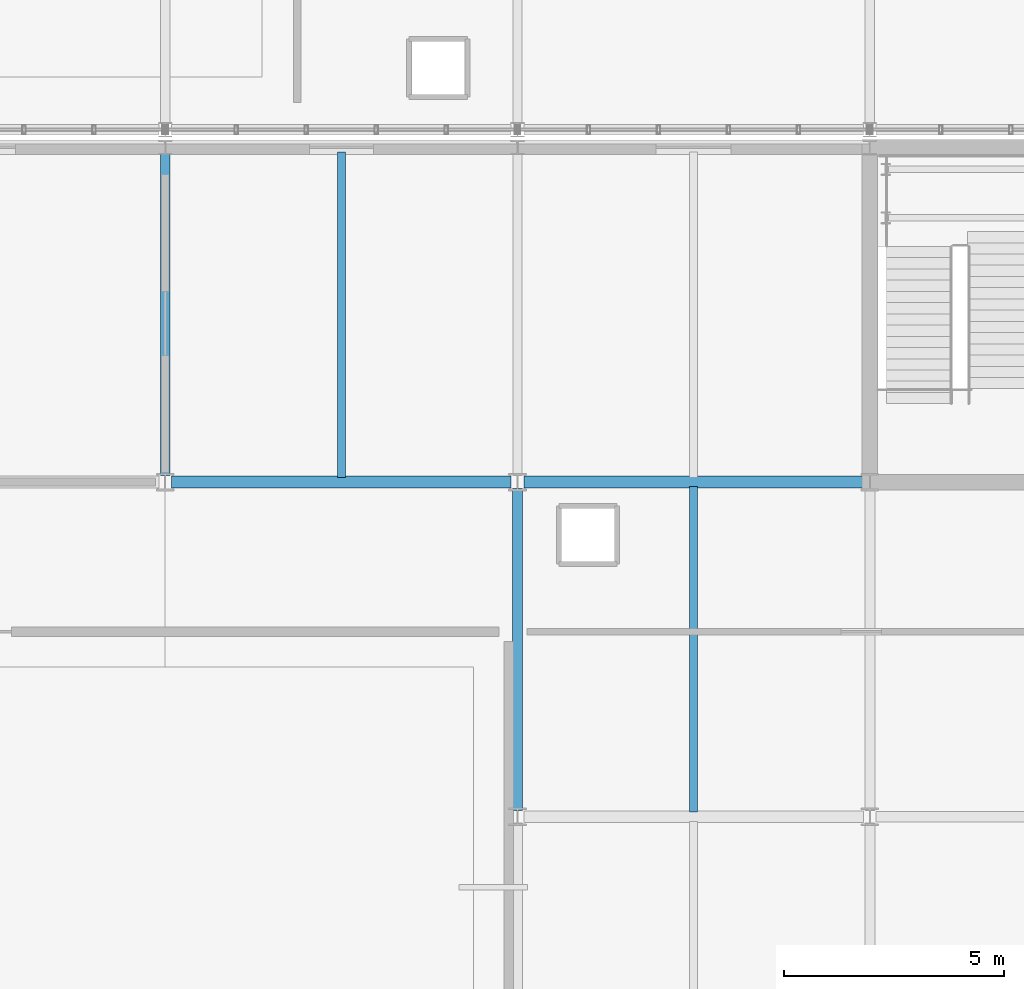
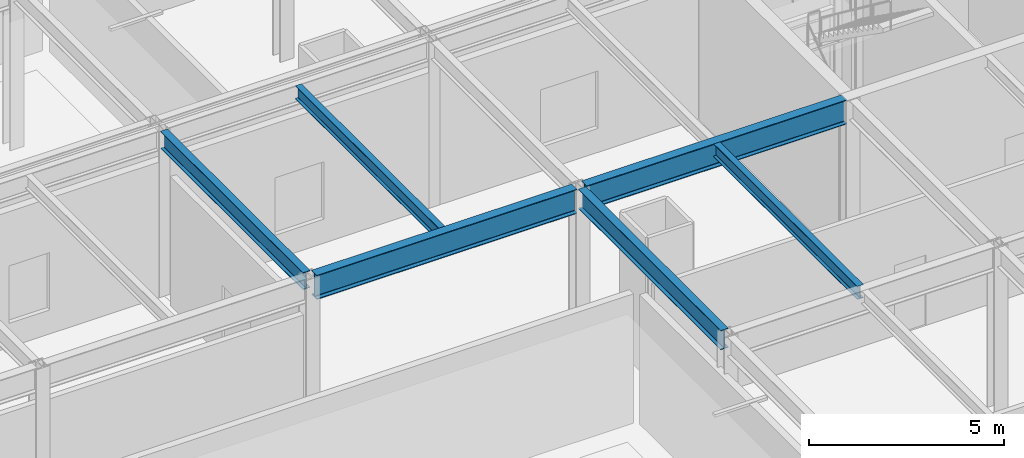
# One storey, part 56 of 94: 6 beams.
"""IFC4 building model written with IfcOpenShell, lengths in metres."""

from ifc_helpers import new_model, si_unit, direction, frame, origin, origin_2d, place, context, subcontext, project, spatial, i_section, extrude, material, material_profile, profile_set, type_object, element, save


model = new_model("IFC4")

# Units and contexts
model_context = context("Model", 3, precision=1e-05, world=origin(), true_north=direction((0.0, 1.0)))
body_context = subcontext(model_context, "Body", "Model", "MODEL_VIEW")
ifc_project = project(units=[si_unit("LENGTHUNIT", "METRE"), si_unit("AREAUNIT", "SQUARE_METRE"), si_unit("VOLUMEUNIT", "CUBIC_METRE"), si_unit("PLANEANGLEUNIT", "RADIAN"), si_unit("MASSUNIT", "GRAM", prefix="KILO")], contexts=[model_context])

# Site, building, storey
site_placement = place(None, origin())
site = spatial("IfcSite", under=ifc_project, at=site_placement, CompositionType="ELEMENT")
building_placement = place(site_placement, origin())
building = spatial("IfcBuilding", under=site, at=building_placement, Name="Zulena Civic Courthouse", CompositionType="ELEMENT")
storey_placement = place(building_placement, frame((0.0, 0.0, 5.39990234375)))
storey = spatial("IfcBuildingStorey", under=building, at=storey_placement, Name="L01", CompositionType="ELEMENT", Elevation=5.39990234375)

# Beams
ifc_material = material(Name="Steel ASTM A992 Grade 50", Category="steel")
ifc_material_profile_1 = material_profile(ifc_material, i_section(OverallWidth=0.22802734375, OverallDepth=0.60693359375, WebThickness=0.01123046875, FlangeThickness=0.017333984375, FilletRadius=0.0126953125, at=origin_2d()), Name="W24X76")
ifc_profile_set_1 = profile_set([ifc_material_profile_1], Name="Steel ASTM A992 Grade 50")
beam_type_1 = type_object("IfcBeamType", Name="Girder_W24X76", PredefinedType="BEAM", material=ifc_profile_set_1)
beam_1_placement = place(storey_placement, frame((156.0, 15.344970703125, 4.881591796875), z_axis=(0.0, 1.0, 0.0), x_axis=(-1.0, 0.0, 0.0)))
element("IfcBeam", 1, at=beam_1_placement, inside=storey, type_object=beam_type_1, Name="beam:Y:V1:L01:156.0:15.2_22.8", PredefinedType="BEAM", context=body_context, shape_type="SweptSolid", body=[
    extrude(i_section(OverallWidth=0.22802734375, OverallDepth=0.60693359375, WebThickness=0.01123046875, FlangeThickness=0.017333984375, FilletRadius=0.0126953125, at=origin_2d()), origin(), (0.0, 0.0, 1.0), 7.31005859375),
])
ifc_material_profile_2 = material_profile(ifc_material, i_section(OverallWidth=0.26708984375, OverallDepth=0.761962890625, WebThickness=0.014404296875, FlangeThickness=0.021484375, FilletRadius=0.0166015625, at=origin_2d()), Name="W30X116")
ifc_profile_set_2 = profile_set([ifc_material_profile_2], Name="Steel ASTM A992 Grade 50")
beam_type_2 = type_object("IfcBeamType", Name="Girder_W30X116", PredefinedType="BEAM", material=ifc_profile_set_2)
for number, where, z_axis, x_axis, name in (
    (2, (148.14501953125, 22.800048828125, 4.80419921875), (1.0, 0.0, 0.0), (0.0, 1.0, 0.0), "beam:X:V1:L01:22.8:148.0_156.0"),
    (3, (156.14501953125, 22.800048828125, 4.80419921875), (1.0, 0.0, 0.0), (0.0, 1.0, 0.0), "beam:X:V1:L01:22.8:156.0_164.0"),
):
    element("IfcBeam", number, at=place(storey_placement, frame(where, z_axis=z_axis, x_axis=x_axis)), inside=storey, type_object=beam_type_2, Name=name, PredefinedType="BEAM", context=body_context, shape_type="SweptSolid", body=[
        extrude(i_section(OverallWidth=0.26708984375, OverallDepth=0.761962890625, WebThickness=0.014404296875, FlangeThickness=0.021484375, FilletRadius=0.0166015625, at=origin_2d()), origin(), (0.0, 0.0, 1.0), 7.7099609375),
    ])
ifc_material_profile_3 = material_profile(ifc_material, i_section(OverallWidth=0.180908203125, OverallDepth=0.4169921875, WebThickness=0.010986328125, FlangeThickness=0.018310546875, FilletRadius=0.01025390625, at=origin_2d()), Name="W16X57")
ifc_profile_set_3 = profile_set([ifc_material_profile_3], Name="Steel ASTM A992 Grade 50")
beam_type_3 = type_object("IfcBeamType", Name="Joist_W16X57", PredefinedType="JOIST", material=ifc_profile_set_3)
beam_2_placement = place(storey_placement, frame((152.0, 22.905029296875, 4.9765625), z_axis=(0.0, 1.0, 0.0), x_axis=(-1.0, 0.0, 0.0)))
element("IfcBeam", 4, at=beam_2_placement, inside=storey, type_object=beam_type_3, Name="joist:V1:L01:152.00:22.8_30.4", PredefinedType="JOIST", context=body_context, shape_type="SweptSolid", body=[
    extrude(i_section(OverallWidth=0.180908203125, OverallDepth=0.4169921875, WebThickness=0.010986328125, FlangeThickness=0.018310546875, FilletRadius=0.01025390625, at=origin_2d()), origin(), (0.0, 0.0, 1.0), 7.389892578125),
])
beam_3_placement = place(storey_placement, frame((160.0, 15.304931640625, 4.9765625), z_axis=(0.0, 1.0, 0.0), x_axis=(-1.0, 0.0, 0.0)))
element("IfcBeam", 5, at=beam_3_placement, inside=storey, type_object=beam_type_3, Name="joist:V1:L01:160.00:15.2_22.8", PredefinedType="JOIST", context=body_context, shape_type="SweptSolid", body=[
    extrude(i_section(OverallWidth=0.180908203125, OverallDepth=0.4169921875, WebThickness=0.010986328125, FlangeThickness=0.018310546875, FilletRadius=0.01025390625, at=origin_2d()), origin(), (0.0, 0.0, 1.0), 7.39013671875),
])
ifc_material_profile_4 = material_profile(ifc_material, i_section(OverallWidth=0.2099609375, OverallDepth=0.537109375, WebThickness=0.010986328125, FlangeThickness=0.017333984375, FilletRadius=0.0126953125, at=origin_2d()), Name="W21X68")
ifc_profile_set_4 = profile_set([ifc_material_profile_4], Name="Steel ASTM A992 Grade 50")
beam_type_4 = type_object("IfcBeamType", Name="Spandrel_W21X68", PredefinedType="SPANDREL", material=ifc_profile_set_4)
beam_4_placement = place(storey_placement, frame((148.0, 22.945068359375, 4.91650390625), z_axis=(0.0, 1.0, 0.0), x_axis=(-1.0, 0.0, 0.0)))
element("IfcBeam", 6, at=beam_4_placement, inside=storey, type_object=beam_type_4, Name="beam:Y:V1:L01:148.0:22.8_30.4", PredefinedType="SPANDREL", context=body_context, shape_type="SweptSolid", body=[
    extrude(i_section(OverallWidth=0.2099609375, OverallDepth=0.537109375, WebThickness=0.010986328125, FlangeThickness=0.017333984375, FilletRadius=0.0126953125, at=origin_2d()), origin(), (0.0, 0.0, 1.0), 7.309814453125),
])

save(model, "model.ifc")
